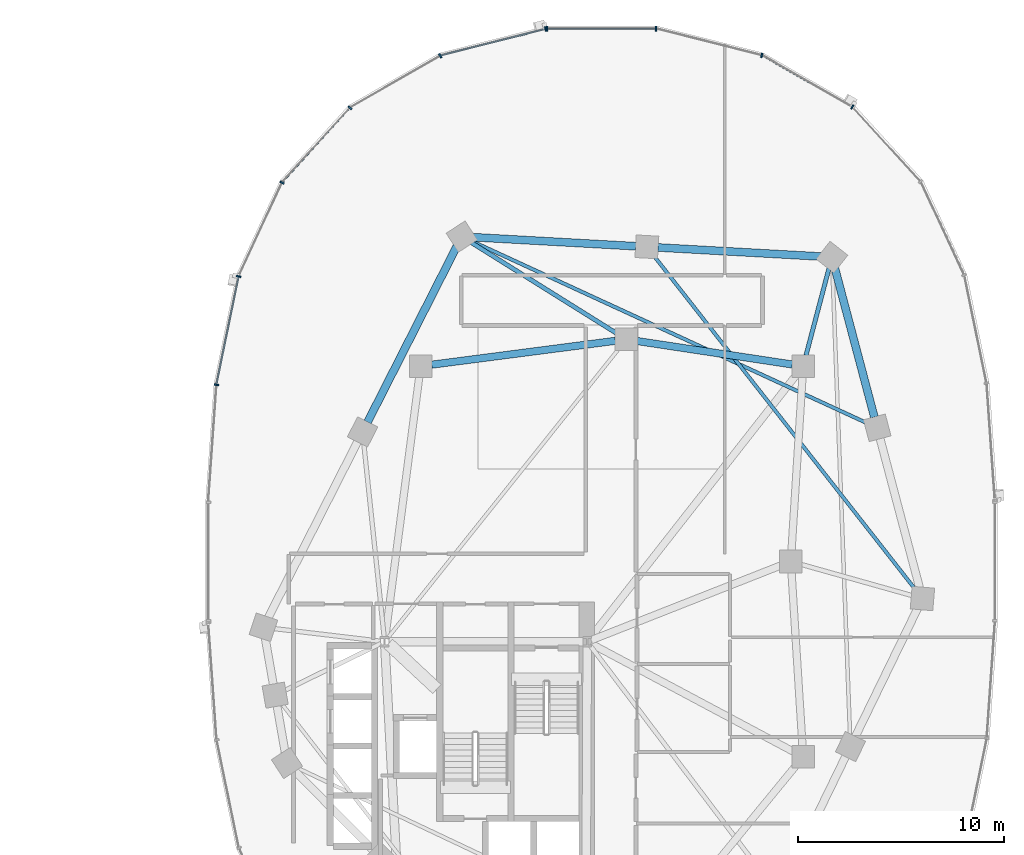
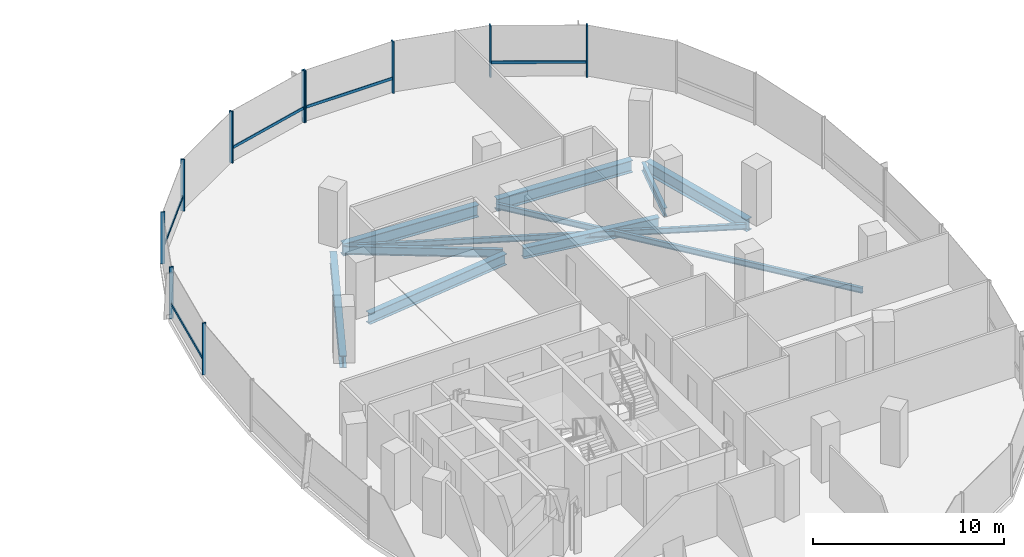
# One storey, part 7 of 21: 15 members, 10 beams, 2 elements without a shape of their own.
"""IFC4 building model written with IfcOpenShell, lengths in metres."""

from ifc_helpers import new_model, si_unit, direction, frame, origin, origin_2d, place, context, subcontext, project, spatial, rectangle, i_section, extrude, material, material_profile, profile_set, type_object, element, aggregate, save


model = new_model("IFC4")

# Units and contexts
model_context = context("Model", 3, precision=1e-05, world=origin(), true_north=direction((0.0, 1.0)))
body_context = subcontext(model_context, "Body", "Model", "MODEL_VIEW")
ifc_project = project(units=[si_unit("LENGTHUNIT", "METRE"), si_unit("AREAUNIT", "SQUARE_METRE"), si_unit("VOLUMEUNIT", "CUBIC_METRE"), si_unit("PLANEANGLEUNIT", "RADIAN"), si_unit("MASSUNIT", "GRAM", prefix="KILO"), si_unit("THERMODYNAMICTEMPERATUREUNIT", "KELVIN"), si_unit("POWERUNIT", "WATT")], contexts=[model_context])

# Site, building, storey
site_placement = place(None, origin())
site = spatial("IfcSite", under=ifc_project, at=site_placement, CompositionType="ELEMENT")
building_placement = place(site_placement, origin())
building = spatial("IfcBuilding", under=site, at=building_placement, Name="Cundina Bronze Exchange", CompositionType="ELEMENT")
storey_placement = place(building_placement, frame((0.0, 0.0, 81.800048828125)))
storey = spatial("IfcBuildingStorey", under=building, at=storey_placement, Name="L20", CompositionType="ELEMENT", Elevation=81.800048828125)

# Beams
ifc_material_1 = material(Name="Steel ASTM A992 Grade 50", Category="steel")
ifc_material_profile_1 = material_profile(ifc_material_1, i_section(OverallWidth=0.2099609375, OverallDepth=0.532958984375, WebThickness=0.01025390625, FlangeThickness=0.015625, FilletRadius=0.013916015625, at=origin_2d()), Name="W21X62", Category="steel")
ifc_profile_set_1 = profile_set([ifc_material_profile_1], Name="Steel ASTM A992 Grade 50")
beam_type_1 = type_object("IfcBeamType", Name="BM-FLR-W21B", PredefinedType="BEAM", material=ifc_profile_set_1)
beam_1_placement = place(storey_placement, frame((41.9375, 10.020263671875, -0.566650390625), z_axis=(0.255357891402, 0.966846599673, 0.0), x_axis=(-0.966846599673, 0.255357891402, 0.0)))
element("IfcBeam", 1, at=beam_1_placement, inside=storey, type_object=beam_type_1, Name="L20 Leg E Chordal Floor Beam 10", PredefinedType="BEAM", context=body_context, shape_type="SweptSolid", body=[
    extrude(i_section(OverallWidth=0.2099609375, OverallDepth=0.532958984375, WebThickness=0.01025390625, FlangeThickness=0.015625, FilletRadius=0.013916015625, at=origin_2d()), origin(), (0.0, 0.0, 1.0), 4.405517578125),
])
beam_2_placement = place(storey_placement, frame((32.743896484375, 11.085205078125, -0.566650390625), z_axis=(-0.848003227047, 0.529991063055, 0.0), x_axis=(-0.529991063055, -0.848003227047, 0.0)))
element("IfcBeam", 2, at=beam_2_placement, inside=storey, type_object=beam_type_1, Name="L20 Leg E Chordal Floor Beam 12", PredefinedType="BEAM", context=body_context, shape_type="SweptSolid", body=[
    extrude(i_section(OverallWidth=0.2099609375, OverallDepth=0.532958984375, WebThickness=0.01025390625, FlangeThickness=0.015625, FilletRadius=0.013916015625, at=origin_2d()), origin(), (0.0, 0.0, 1.0), 8.358154296875),
])
ifc_material_profile_2 = material_profile(ifc_material_1, i_section(OverallWidth=0.172119140625, OverallDepth=0.35791015625, WebThickness=0.0078125, FlangeThickness=0.01318359375, FilletRadius=0.010009765625, at=origin_2d()), Name="W14X38", Category="steel")
ifc_profile_set_2 = profile_set([ifc_material_profile_2], Name="Steel ASTM A992 Grade 50")
beam_type_2 = type_object("IfcBeamType", Name="BM-JST-W14", PredefinedType="JOIST", material=ifc_profile_set_2)
beam_3_placement = place(storey_placement, frame((47.268310546875, -1.37646484375, -0.47900390625), z_axis=(-0.616815348306, 0.787107887201, 0.0), x_axis=(-0.787107887201, -0.616815348306, 0.0)))
element("IfcBeam", 3, at=beam_3_placement, inside=storey, type_object=beam_type_2, Name="L20 Leg E Lobe Floor Joist 08-11", PredefinedType="JOIST", context=body_context, shape_type="SweptSolid", body=[
    extrude(i_section(OverallWidth=0.172119140625, OverallDepth=0.35791015625, WebThickness=0.0078125, FlangeThickness=0.01318359375, FilletRadius=0.010009765625, at=origin_2d()), origin(), (0.0, 0.0, 1.0), 20.64892578125),
])
beam_4_placement = place(storey_placement, frame((44.911376953125, 6.72509765625, -0.47900390625), z_axis=(-0.908357076874, 0.41819543385, 0.0), x_axis=(-0.41819543385, -0.908357076874, 0.0)))
element("IfcBeam", 4, at=beam_4_placement, inside=storey, type_object=beam_type_2, Name="L20 Leg E Lobe Floor Joist 09-12", PredefinedType="JOIST", context=body_context, shape_type="SweptSolid", body=[
    extrude(i_section(OverallWidth=0.172119140625, OverallDepth=0.35791015625, WebThickness=0.0078125, FlangeThickness=0.01318359375, FilletRadius=0.010009765625, at=origin_2d()), origin(), (0.0, 0.0, 1.0), 21.162109375),
])
ifc_material_profile_3 = material_profile(ifc_material_1, i_section(OverallWidth=0.35498046875, OverallDepth=0.695068359375, WebThickness=0.015380859375, FlangeThickness=0.02490234375, FilletRadius=0.01806640625, at=origin_2d()), Name="W27X146", Category="steel")
ifc_profile_set_3 = profile_set([ifc_material_profile_3], Name="Steel ASTM A992 Grade 50")
beam_type_3 = type_object("IfcBeamType", Name="BM-RING-W27", PredefinedType="USERDEFINED", material=ifc_profile_set_3)
beam_5_placement = place(storey_placement, frame((41.26806640625, 9.580322265625, -0.6474609375), z_axis=(-0.988767489563, 0.149461873341, 0.0), x_axis=(-0.149461873341, -0.988767489563, 0.0)))
element("IfcBeam", 5, at=beam_5_placement, inside=storey, type_object=beam_type_3, Name="L20 E Inner Structural Ring Girder 05", ObjectType="GIRDER", PredefinedType="USERDEFINED", context=body_context, shape_type="SweptSolid", body=[
    extrude(i_section(OverallWidth=0.35498046875, OverallDepth=0.695068359375, WebThickness=0.015380859375, FlangeThickness=0.02490234375, FilletRadius=0.01806640625, at=origin_2d()), origin(), (0.0, 0.0, 1.0), 7.621826171875),
])
beam_6_placement = place(storey_placement, frame((32.66650390625, 10.730712890625, -0.6474609375), z_axis=(-0.991654577907, -0.128923225666, 0.0), x_axis=(0.128923225666, -0.991654577907, 0.0)))
element("IfcBeam", 6, at=beam_6_placement, inside=storey, type_object=beam_type_3, Name="L20 E Inner Structural Ring Girder 06", ObjectType="GIRDER", PredefinedType="USERDEFINED", context=body_context, shape_type="SweptSolid", body=[
    extrude(i_section(OverallWidth=0.35498046875, OverallDepth=0.695068359375, WebThickness=0.015380859375, FlangeThickness=0.02490234375, FilletRadius=0.01806640625, at=origin_2d()), origin(), (0.0, 0.0, 1.0), 9.00830078125),
])
ifc_material_profile_4 = material_profile(ifc_material_1, i_section(OverallWidth=0.381103515625, OverallDepth=0.77294921875, WebThickness=0.0166015625, FlangeThickness=0.027099609375, FilletRadius=0.01904296875, at=origin_2d()), Name="W30X173", Category="steel")
ifc_profile_set_4 = profile_set([ifc_material_profile_4], Name="Steel ASTM A992 Grade 50")
beam_type_4 = type_object("IfcBeamType", Name="BM-RING-W30", PredefinedType="USERDEFINED", material=ifc_profile_set_4)
beam_7_placement = place(storey_placement, frame((45.26220703125, 7.02001953125, -0.6865234375), z_axis=(-0.256209719931, 0.966621218168, 0.0), x_axis=(-0.966621218168, -0.256209719931, 0.0)))
element("IfcBeam", 7, at=beam_7_placement, inside=storey, type_object=beam_type_4, Name="L20 E Perimeter Ring Girder 09", ObjectType="GIRDER", PredefinedType="USERDEFINED", context=body_context, shape_type="SweptSolid", body=[
    extrude(i_section(OverallWidth=0.381103515625, OverallDepth=0.77294921875, WebThickness=0.0166015625, FlangeThickness=0.027099609375, FilletRadius=0.01904296875, at=origin_2d()), origin(), (0.0, 0.0, 1.0), 7.5107421875),
])
for number, where, z_axis, x_axis, name in (
    (8, (42.662841796875, 14.829833984375, -0.6865234375), (-0.99845950136, 0.055485350721, 0.0), (-0.055485350721, -0.99845950136, 0.0), "L20 E Perimeter Ring Girder 10"),
    (9, (33.662841796875, 15.329833984375, -0.6865234375), (-0.99845950136, 0.055485350721, 0.0), (-0.055485350721, -0.99845950136, 0.0), "L20 E Perimeter Ring Girder 11"),
):
    element("IfcBeam", number, at=place(storey_placement, frame(where, z_axis=z_axis, x_axis=x_axis)), inside=storey, type_object=beam_type_4, Name=name, ObjectType="GIRDER", PredefinedType="USERDEFINED", context=body_context, shape_type="SweptSolid", body=[
        extrude(i_section(OverallWidth=0.381103515625, OverallDepth=0.77294921875, WebThickness=0.0166015625, FlangeThickness=0.027099609375, FilletRadius=0.01904296875, at=origin_2d()), origin(), (0.0, 0.0, 1.0), 7.937744140625),
    ])
beam_8_placement = place(storey_placement, frame((24.956298828125, 15.3203125, -0.6865234375), z_axis=(-0.452832332744, -0.891595692241, 0.0), x_axis=(0.891595692241, -0.452832332744, 0.0)))
element("IfcBeam", 10, at=beam_8_placement, inside=storey, type_object=beam_type_4, Name="L20 E Perimeter Ring Girder 12", ObjectType="GIRDER", PredefinedType="USERDEFINED", context=body_context, shape_type="SweptSolid", body=[
    extrude(i_section(OverallWidth=0.381103515625, OverallDepth=0.77294921875, WebThickness=0.0166015625, FlangeThickness=0.027099609375, FilletRadius=0.01904296875, at=origin_2d()), origin(), (0.0, 0.0, 1.0), 9.578857421875),
])

# Curtain wall, members
ifc_material_2 = material(Name="Anodised Bronze Aluminium 6063-T6", Category="aluminium")
curtain_wall_type = type_object("IfcCurtainWallType", Name="CWS-TRD-MID", PredefinedType="NOTDEFINED", material=ifc_material_2)
curtain_wall_1_placement = place(storey_placement, origin())
curtain_wall_1 = element("IfcCurtainWall", 11, at=curtain_wall_1_placement, inside=storey, type_object=curtain_wall_type, Name="L20 CW-03 Curtain Wall Run CWR-L20-E1", PredefinedType="NOTDEFINED")
ifc_material_profile_5 = material_profile(ifc_material_2, rectangle(XDim=0.074951171875, YDim=0.219970703125, at=origin_2d()), Name="AL75X220", Category="aluminium")
ifc_profile_set_5 = profile_set([ifc_material_profile_5], Name="Anodised Bronze Aluminium 6063-T6")
member_type_1 = type_object("IfcMemberType", Name="CWM-MUL-220", PredefinedType="MULLION", material=ifc_profile_set_5)
member_1_placement = place(storey_placement, frame((44.189697265625, 22.097412109375, 0.0), z_axis=(0.0, 0.0, 1.0), x_axis=(-0.867070701164, 0.498185105339, 0.0)))
member_1 = element("IfcMember", 12, at=member_1_placement, type_object=member_type_1, Name="CW-03 Mullion 5", PredefinedType="MULLION", context=body_context, shape_type="SweptSolid", body=[
    extrude(rectangle(XDim=0.074951171875, YDim=0.219970703125, at=origin_2d()), origin(), (0.0, 0.0, 1.0), 3.300048828125),
])
member_2_placement = place(storey_placement, frame((39.78515625, 24.61669921875, 0.0), z_axis=(0.0, 0.0, 1.0), x_axis=(-0.969488149345, 0.245138182011, 0.0)))
member_2 = element("IfcMember", 13, at=member_2_placement, type_object=member_type_1, Name="CW-03 Mullion 6", PredefinedType="MULLION", context=body_context, shape_type="SweptSolid", body=[
    extrude(rectangle(XDim=0.074951171875, YDim=0.219970703125, at=origin_2d()), origin(), (0.0, 0.0, 1.0), 3.300048828125),
])
member_3_placement = place(storey_placement, frame((34.654541015625, 25.905029296875, 0.0), z_axis=(0.0, 0.0, 1.0), x_axis=(-1.0, 0.0, 0.0)))
member_3 = element("IfcMember", 14, at=member_3_placement, type_object=member_type_1, Name="CW-03 Mullion 7", PredefinedType="MULLION", context=body_context, shape_type="SweptSolid", body=[
    extrude(rectangle(XDim=0.074951171875, YDim=0.219970703125, at=origin_2d()), origin(), (0.0, 0.0, 1.0), 3.300048828125),
])
member_4_placement = place(storey_placement, frame((29.345458984375, 25.905029296875, 0.0), z_axis=(0.0, 0.0, 1.0), x_axis=(-1.0, 0.0, 0.0)))
member_4 = element("IfcMember", 15, at=member_4_placement, type_object=member_type_1, Name="CW-03 End Mullion", PredefinedType="MULLION", context=body_context, shape_type="SweptSolid", body=[
    extrude(rectangle(XDim=0.074951171875, YDim=0.219970703125, at=origin_2d()), origin(), (0.0, 0.0, 1.0), 3.300048828125),
])

curtain_wall_2_placement = place(storey_placement, origin())
curtain_wall_2 = element("IfcCurtainWall", 16, at=curtain_wall_2_placement, inside=storey, type_object=curtain_wall_type, Name="L20 CW-03 Curtain Wall Run CWR-L20-E2", PredefinedType="NOTDEFINED")
member_5_placement = place(storey_placement, frame((29.27392578125, 25.89599609375, 0.0), z_axis=(0.0, 0.0, 1.0), x_axis=(-0.969488149345, -0.245138182011, 0.0)))
member_5 = element("IfcMember", 17, at=member_5_placement, type_object=member_type_1, Name="CW-03 Mullion 1", PredefinedType="MULLION", context=body_context, shape_type="SweptSolid", body=[
    extrude(rectangle(XDim=0.074951171875, YDim=0.219970703125, at=origin_2d()), origin(), (0.0, 0.0, 1.0), 3.300048828125),
])
member_6_placement = place(storey_placement, frame((24.151123046875, 24.591064453125, 0.0), z_axis=(0.0, 0.0, 1.0), x_axis=(-0.867070701164, -0.498185105339, 0.0)))
member_6 = element("IfcMember", 18, at=member_6_placement, type_object=member_type_1, Name="CW-03 Mullion 2", PredefinedType="MULLION", context=body_context, shape_type="SweptSolid", body=[
    extrude(rectangle(XDim=0.074951171875, YDim=0.219970703125, at=origin_2d()), origin(), (0.0, 0.0, 1.0), 3.300048828125),
])
member_7_placement = place(storey_placement, frame((19.760498046875, 22.0576171875, 0.0), z_axis=(0.0, 0.0, 1.0), x_axis=(-0.674302387584, -0.738455340626, 0.0)))
member_7 = element("IfcMember", 19, at=member_7_placement, type_object=member_type_1, Name="CW-03 Mullion 3", PredefinedType="MULLION", context=body_context, shape_type="SweptSolid", body=[
    extrude(rectangle(XDim=0.074951171875, YDim=0.219970703125, at=origin_2d()), origin(), (0.0, 0.0, 1.0), 3.300048828125),
])
member_8_placement = place(storey_placement, frame((16.455810546875, 18.423583984375, 0.0), z_axis=(0.0, 0.0, 1.0), x_axis=(-0.42087749791, -0.907117485088, 0.0)))
member_8 = element("IfcMember", 20, at=member_8_placement, type_object=member_type_1, Name="CW-03 Mullion 4", PredefinedType="MULLION", context=body_context, shape_type="SweptSolid", body=[
    extrude(rectangle(XDim=0.074951171875, YDim=0.219970703125, at=origin_2d()), origin(), (0.0, 0.0, 1.0), 3.300048828125),
])
member_9_placement = place(storey_placement, frame((14.348876953125, 13.861328125, 0.0), z_axis=(0.0, 0.0, 1.0), x_axis=(-0.201419845156, -0.979505000486, 0.0)))
member_9 = element("IfcMember", 21, at=member_9_placement, type_object=member_type_1, Name="CW-03 Mullion 5", PredefinedType="MULLION", context=body_context, shape_type="SweptSolid", body=[
    extrude(rectangle(XDim=0.074951171875, YDim=0.219970703125, at=origin_2d()), origin(), (0.0, 0.0, 1.0), 3.300048828125),
])
member_10_placement = place(storey_placement, frame((13.27099609375, 8.591552734375, 0.0), z_axis=(0.0, 0.0, 1.0), x_axis=(-0.070278787473, -0.997527389113, 0.0)))
member_10 = element("IfcMember", 22, at=member_10_placement, type_object=member_type_1, Name="CW-03 Mullion 6", PredefinedType="MULLION", context=body_context, shape_type="SweptSolid", body=[
    extrude(rectangle(XDim=0.074951171875, YDim=0.219970703125, at=origin_2d()), origin(), (0.0, 0.0, 1.0), 3.300048828125),
])

# Member
ifc_material_profile_6 = material_profile(ifc_material_2, rectangle(XDim=0.070068359375, YDim=0.179931640625, at=origin_2d()), Name="AL70X180", Category="aluminium")
ifc_profile_set_6 = profile_set([ifc_material_profile_6], Name="Anodised Bronze Aluminium 6063-T6")
member_type_2 = type_object("IfcMemberType", Name="CWM-TRN-180", PredefinedType="USERDEFINED", material=ifc_profile_set_6)
member_11_placement = place(storey_placement, frame((44.154052734375, 22.117919921875, 0.919921875), z_axis=(-0.867097475651, 0.498138502546, 0.0), x_axis=(-0.498138502546, -0.867097475651, 0.0)))
member_11 = element("IfcMember", 23, at=member_11_placement, type_object=member_type_2, Name="CW-03 Spandrel Transom 5", ObjectType="TRANSOM", PredefinedType="USERDEFINED", context=body_context, shape_type="SweptSolid", body=[
    extrude(rectangle(XDim=0.070068359375, YDim=0.179931640625, at=origin_2d()), origin(), (0.0, 0.0, 1.0), 5.00634765625),
])

member_12_placement = place(storey_placement, frame((34.61328125, 25.905029296875, 0.919921875), z_axis=(-1.0, 0.0, 0.0), x_axis=(0.0, -1.0, 0.0)))
member_12 = element("IfcMember", 24, at=member_12_placement, type_object=member_type_2, Name="CW-03 Spandrel Transom 7", ObjectType="TRANSOM", PredefinedType="USERDEFINED", context=body_context, shape_type="SweptSolid", body=[
    extrude(rectangle(XDim=0.070068359375, YDim=0.179931640625, at=origin_2d()), origin(), (0.0, 0.0, 1.0), 5.2265625),
])

aggregate(curtain_wall_1, [member_1, member_11, member_2, member_3, member_4, member_12])

member_13_placement = place(storey_placement, frame((29.23388671875, 25.885986328125, 0.919921875), z_axis=(-0.969483968866, -0.245154714644, 0.0), x_axis=(0.245154714644, -0.969483968866, 0.0)))
member_13 = element("IfcMember", 25, at=member_13_placement, type_object=member_type_2, Name="CW-03 Spandrel Transom 1", ObjectType="TRANSOM", PredefinedType="USERDEFINED", context=body_context, shape_type="SweptSolid", body=[
    extrude(rectangle(XDim=0.070068359375, YDim=0.179931640625, at=origin_2d()), origin(), (0.0, 0.0, 1.0), 5.21826171875),
])

member_14_placement = place(storey_placement, frame((19.73291015625, 22.027099609375, 0.919921875), z_axis=(-0.674302794847, -0.738454968743, 0.0), x_axis=(0.738454968743, -0.674302794847, 0.0)))
member_14 = element("IfcMember", 26, at=member_14_placement, type_object=member_type_2, Name="CW-03 Spandrel Transom 3", ObjectType="TRANSOM", PredefinedType="USERDEFINED", context=body_context, shape_type="SweptSolid", body=[
    extrude(rectangle(XDim=0.070068359375, YDim=0.179931640625, at=origin_2d()), origin(), (0.0, 0.0, 1.0), 4.848388671875),
])

member_15_placement = place(storey_placement, frame((14.340576171875, 13.821044921875, 0.919921875), z_axis=(-0.201427712708, -0.979503382615, 0.0), x_axis=(0.979503382615, -0.201427712708, 0.0)))
member_15 = element("IfcMember", 27, at=member_15_placement, type_object=member_type_2, Name="CW-03 Spandrel Transom 5", ObjectType="TRANSOM", PredefinedType="USERDEFINED", context=body_context, shape_type="SweptSolid", body=[
    extrude(rectangle(XDim=0.070068359375, YDim=0.179931640625, at=origin_2d()), origin(), (0.0, 0.0, 1.0), 5.291748046875),
])

aggregate(curtain_wall_2, [member_5, member_13, member_6, member_7, member_14, member_8, member_9, member_15, member_10])

save(model, "model.ifc")
